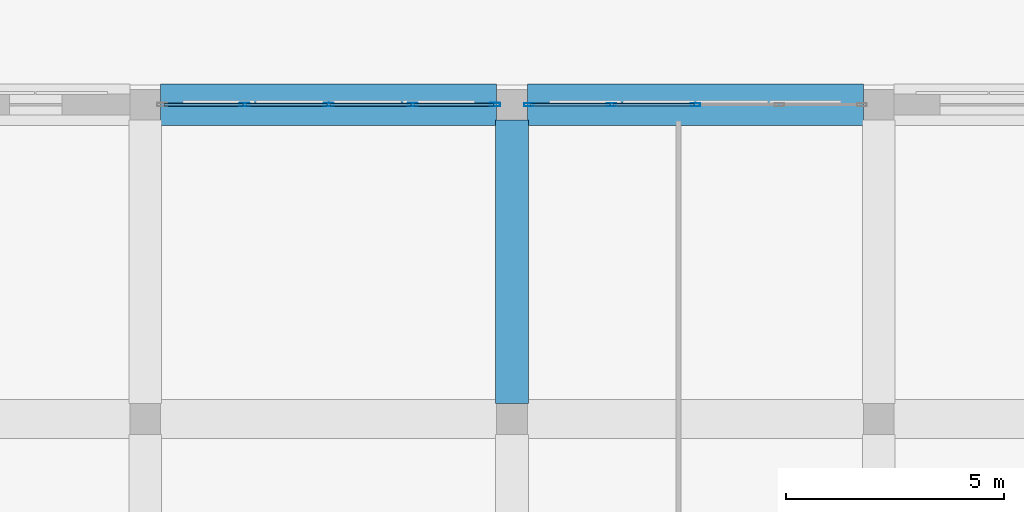
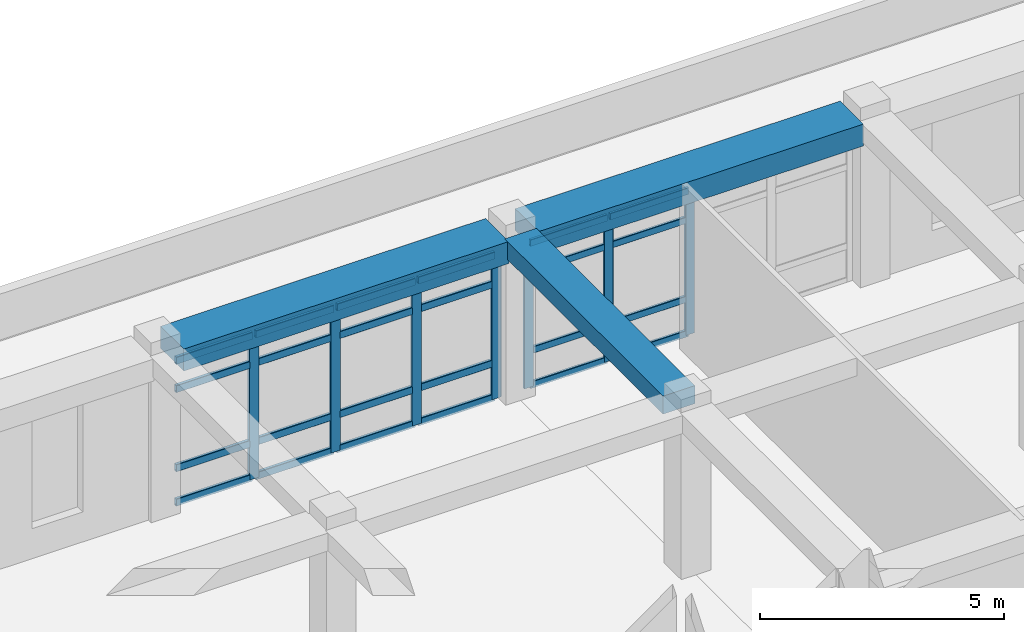
# One storey, part 32 of 100: 31 members, 3 beams, 2 elements without a shape of their own.
"""IFC4 building model written with IfcOpenShell, lengths in metres."""

from ifc_helpers import new_model, si_unit, derived_unit, direction, frame, origin, origin_2d, place, context, subcontext, project, spatial, rectangle, hollow_rectangle, extrude, material, material_profile, profile_set, type_object, element, aggregate, save


model = new_model("IFC4")

# Units and contexts
model_context = context("Model", 3, precision=1e-05, world=origin(), true_north=direction((0.0, 1.0)))
body_context = subcontext(model_context, "Body", "Model", "MODEL_VIEW")
ifc_project = project(units=[si_unit("LENGTHUNIT", "METRE"), si_unit("AREAUNIT", "SQUARE_METRE"), si_unit("VOLUMEUNIT", "CUBIC_METRE"), si_unit("PLANEANGLEUNIT", "RADIAN"), si_unit("MASSUNIT", "GRAM", prefix="KILO"), derived_unit("THERMALTRANSMITTANCEUNIT", [(si_unit("POWERUNIT", "WATT"), 1), (si_unit("LENGTHUNIT", "METRE"), -2), (si_unit("THERMODYNAMICTEMPERATUREUNIT", "KELVIN"), -1)])], contexts=[model_context])

# Site, building, storey
site_placement = place(None, origin())
site = spatial("IfcSite", under=ifc_project, at=site_placement, CompositionType="ELEMENT")
building_placement = place(site_placement, origin())
building = spatial("IfcBuilding", under=site, at=building_placement, Name="Veybourne Emporium", CompositionType="ELEMENT")
storey_placement = place(building_placement, frame((0.0, 0.0, 14.39990234375)))
storey = spatial("IfcBuildingStorey", under=building, at=storey_placement, Name="L03", CompositionType="ELEMENT", Elevation=14.39990234375)

# Curtain wall, members
ifc_material_1 = material(Name="Patinated Architectural Bronze", Category="bronze")
curtain_wall_type_1 = type_object("IfcCurtainWallType", Name="CWSystem_CWS-15", PredefinedType="NOTDEFINED", material=ifc_material_1)
curtain_wall_1_placement = place(storey_placement, origin())
curtain_wall_1 = element("IfcCurtainWall", 1, at=curtain_wall_1_placement, inside=storey, type_object=curtain_wall_type_1, Name="L03 bronze glazed curtain wall CWS-15 (033)", PredefinedType="NOTDEFINED")
ifc_material_profile_1 = material_profile(ifc_material_1, hollow_rectangle(XDim=0.077880859375, YDim=0.235107421875, WallThickness=0.0048828125, InnerFilletRadius=0.007568359375, OuterFilletRadius=0.012451171875, at=origin_2d()), Name="CWM 78x235x5")
ifc_profile_set_1 = profile_set([ifc_material_profile_1], Name="Patinated Architectural Bronze")
member_type_1 = type_object("IfcMemberType", Name="CWMullion_CW-M3", PredefinedType="MULLION", material=ifc_profile_set_1)
member_1_placement = place(storey_placement, frame((52.675048828125, 100.800048828125, 0.0), z_axis=(0.0, 0.0, 1.0), x_axis=(0.0, 1.0, 0.0)))
member_1 = element("IfcMember", 2, at=member_1_placement, type_object=member_type_1, Name="CWS-15 mullion 2", PredefinedType="MULLION", context=body_context, shape_type="SweptSolid", body=[
    extrude(hollow_rectangle(XDim=0.077880859375, YDim=0.235107421875, WallThickness=0.0048828125, InnerFilletRadius=0.007568359375, OuterFilletRadius=0.012451171875, at=origin_2d()), origin(), (0.0, 0.0, 1.0), 3.630126953125),
])
member_2_placement = place(storey_placement, frame((54.60009765625, 100.800048828125, 0.0), z_axis=(0.0, 0.0, 1.0), x_axis=(0.0, 1.0, 0.0)))
member_2 = element("IfcMember", 3, at=member_2_placement, type_object=member_type_1, Name="CWS-15 mullion 3", PredefinedType="MULLION", context=body_context, shape_type="SweptSolid", body=[
    extrude(hollow_rectangle(XDim=0.077880859375, YDim=0.235107421875, WallThickness=0.0048828125, InnerFilletRadius=0.007568359375, OuterFilletRadius=0.012451171875, at=origin_2d()), origin(), (0.0, 0.0, 1.0), 3.630126953125),
])
member_3_placement = place(storey_placement, frame((56.52490234375, 100.800048828125, 0.0), z_axis=(0.0, 0.0, 1.0), x_axis=(0.0, 1.0, 0.0)))
member_3 = element("IfcMember", 4, at=member_3_placement, type_object=member_type_1, Name="CWS-15 mullion 4", PredefinedType="MULLION", context=body_context, shape_type="SweptSolid", body=[
    extrude(hollow_rectangle(XDim=0.077880859375, YDim=0.235107421875, WallThickness=0.0048828125, InnerFilletRadius=0.007568359375, OuterFilletRadius=0.012451171875, at=origin_2d()), origin(), (0.0, 0.0, 1.0), 3.630126953125),
])
member_4_placement = place(storey_placement, frame((58.410888671875, 100.800048828125, 0.0), z_axis=(0.0, 0.0, 1.0), x_axis=(0.0, 1.0, 0.0)))
member_4 = element("IfcMember", 5, at=member_4_placement, type_object=member_type_1, Name="CWS-15 mullion 5", PredefinedType="MULLION", context=body_context, shape_type="SweptSolid", body=[
    extrude(hollow_rectangle(XDim=0.077880859375, YDim=0.235107421875, WallThickness=0.0048828125, InnerFilletRadius=0.007568359375, OuterFilletRadius=0.012451171875, at=origin_2d()), origin(), (0.0, 0.0, 1.0), 3.630126953125),
])

curtain_wall_type_2 = type_object("IfcCurtainWallType", Name="CWSystem_CWS-16", PredefinedType="NOTDEFINED", material=ifc_material_1)
curtain_wall_2_placement = place(storey_placement, origin())
curtain_wall_2 = element("IfcCurtainWall", 6, at=curtain_wall_2_placement, inside=storey, type_object=curtain_wall_type_2, Name="L03 bronze glazed curtain wall CWS-16 (036)", PredefinedType="NOTDEFINED")
ifc_material_profile_2 = material_profile(ifc_material_1, hollow_rectangle(XDim=0.070068359375, YDim=0.219970703125, WallThickness=0.0048828125, InnerFilletRadius=0.007568359375, OuterFilletRadius=0.012451171875, at=origin_2d()), Name="CWM 70x220x5")
ifc_profile_set_2 = profile_set([ifc_material_profile_2], Name="Patinated Architectural Bronze")
member_type_2 = type_object("IfcMemberType", Name="CWMullion_CW-M4", PredefinedType="MULLION", material=ifc_profile_set_2)
member_5_placement = place(storey_placement, frame((59.18505859375, 100.800048828125, 0.0), z_axis=(0.0, 0.0, 1.0), x_axis=(0.0, 1.0, 0.0)))
member_5 = element("IfcMember", 7, at=member_5_placement, type_object=member_type_2, Name="CWS-16 mullion 1", PredefinedType="MULLION", context=body_context, shape_type="SweptSolid", body=[
    extrude(hollow_rectangle(XDim=0.070068359375, YDim=0.219970703125, WallThickness=0.0048828125, InnerFilletRadius=0.007568359375, OuterFilletRadius=0.012451171875, at=origin_2d()), origin(), (0.0, 0.0, 1.0), 3.630126953125),
])
member_6_placement = place(storey_placement, frame((61.074951171875, 100.800048828125, 0.0), z_axis=(0.0, 0.0, 1.0), x_axis=(0.0, 1.0, 0.0)))
member_6 = element("IfcMember", 8, at=member_6_placement, type_object=member_type_2, Name="CWS-16 mullion 2", PredefinedType="MULLION", context=body_context, shape_type="SweptSolid", body=[
    extrude(hollow_rectangle(XDim=0.070068359375, YDim=0.219970703125, WallThickness=0.0048828125, InnerFilletRadius=0.007568359375, OuterFilletRadius=0.012451171875, at=origin_2d()), origin(), (0.0, 0.0, 1.0), 3.630126953125),
])
member_7_placement = place(storey_placement, frame((63.0, 100.800048828125, 0.0), z_axis=(0.0, 0.0, 1.0), x_axis=(0.0, 1.0, 0.0)))
member_7 = element("IfcMember", 9, at=member_7_placement, type_object=member_type_2, Name="CWS-16 mullion 3", PredefinedType="MULLION", context=body_context, shape_type="SweptSolid", body=[
    extrude(hollow_rectangle(XDim=0.070068359375, YDim=0.219970703125, WallThickness=0.0048828125, InnerFilletRadius=0.007568359375, OuterFilletRadius=0.012451171875, at=origin_2d()), origin(), (0.0, 0.0, 1.0), 3.630126953125),
])

# Member
ifc_material_profile_3 = material_profile(ifc_material_1, hollow_rectangle(XDim=0.077880859375, YDim=0.18505859375, WallThickness=0.0048828125, InnerFilletRadius=0.007568359375, OuterFilletRadius=0.012451171875, at=origin_2d()), Name="CWT 78x185x5")
ifc_profile_set_3 = profile_set([ifc_material_profile_3], Name="Patinated Architectural Bronze")
member_type_3 = type_object("IfcMemberType", Name="CWTransom_CW-T3", PredefinedType="NOTDEFINED", material=ifc_profile_set_3)
member_8_placement = place(storey_placement, frame((50.827880859375, 100.800048828125, 0.0390625), z_axis=(1.0, 0.0, 0.0), x_axis=(0.0, 1.0, 0.0)))
member_8 = element("IfcMember", 10, at=member_8_placement, type_object=member_type_3, Name="CWS-15 transom 1.1", ObjectType="TRANSOM", PredefinedType="USERDEFINED", context=body_context, shape_type="SweptSolid", body=[
    extrude(hollow_rectangle(XDim=0.077880859375, YDim=0.18505859375, WallThickness=0.0048828125, InnerFilletRadius=0.007568359375, OuterFilletRadius=0.012451171875, at=origin_2d()), origin(), (0.0, 0.0, 1.0), 1.80810546875),
])

member_9_placement = place(storey_placement, frame((50.827880859375, 100.800048828125, 0.900146484375), z_axis=(1.0, 0.0, 0.0), x_axis=(0.0, 1.0, 0.0)))
member_9 = element("IfcMember", 11, at=member_9_placement, type_object=member_type_3, Name="CWS-15 transom 1.2", ObjectType="TRANSOM", PredefinedType="USERDEFINED", context=body_context, shape_type="SweptSolid", body=[
    extrude(hollow_rectangle(XDim=0.077880859375, YDim=0.18505859375, WallThickness=0.0048828125, InnerFilletRadius=0.007568359375, OuterFilletRadius=0.012451171875, at=origin_2d()), origin(), (0.0, 0.0, 1.0), 1.80810546875),
])

member_10_placement = place(storey_placement, frame((50.827880859375, 100.800048828125, 2.880126953125), z_axis=(1.0, 0.0, 0.0), x_axis=(0.0, 1.0, 0.0)))
member_10 = element("IfcMember", 12, at=member_10_placement, type_object=member_type_3, Name="CWS-15 transom 1.3", ObjectType="TRANSOM", PredefinedType="USERDEFINED", context=body_context, shape_type="SweptSolid", body=[
    extrude(hollow_rectangle(XDim=0.077880859375, YDim=0.18505859375, WallThickness=0.0048828125, InnerFilletRadius=0.007568359375, OuterFilletRadius=0.012451171875, at=origin_2d()), origin(), (0.0, 0.0, 1.0), 1.80810546875),
])

member_11_placement = place(storey_placement, frame((50.827880859375, 100.800048828125, 3.591064453125), z_axis=(1.0, 0.0, 0.0), x_axis=(0.0, 1.0, 0.0)))
member_11 = element("IfcMember", 13, at=member_11_placement, type_object=member_type_3, Name="CWS-15 transom 1.4", ObjectType="TRANSOM", PredefinedType="USERDEFINED", context=body_context, shape_type="SweptSolid", body=[
    extrude(hollow_rectangle(XDim=0.077880859375, YDim=0.18505859375, WallThickness=0.0048828125, InnerFilletRadius=0.007568359375, OuterFilletRadius=0.012451171875, at=origin_2d()), origin(), (0.0, 0.0, 1.0), 1.80810546875),
])

member_12_placement = place(storey_placement, frame((52.714111328125, 100.800048828125, 0.0390625), z_axis=(1.0, 0.0, 0.0), x_axis=(0.0, 1.0, 0.0)))
member_12 = element("IfcMember", 14, at=member_12_placement, type_object=member_type_3, Name="CWS-15 transom 2.1", ObjectType="TRANSOM", PredefinedType="USERDEFINED", context=body_context, shape_type="SweptSolid", body=[
    extrude(hollow_rectangle(XDim=0.077880859375, YDim=0.18505859375, WallThickness=0.0048828125, InnerFilletRadius=0.007568359375, OuterFilletRadius=0.012451171875, at=origin_2d()), origin(), (0.0, 0.0, 1.0), 1.846923828125),
])

member_13_placement = place(storey_placement, frame((52.714111328125, 100.800048828125, 0.900146484375), z_axis=(1.0, 0.0, 0.0), x_axis=(0.0, 1.0, 0.0)))
member_13 = element("IfcMember", 15, at=member_13_placement, type_object=member_type_3, Name="CWS-15 transom 2.2", ObjectType="TRANSOM", PredefinedType="USERDEFINED", context=body_context, shape_type="SweptSolid", body=[
    extrude(hollow_rectangle(XDim=0.077880859375, YDim=0.18505859375, WallThickness=0.0048828125, InnerFilletRadius=0.007568359375, OuterFilletRadius=0.012451171875, at=origin_2d()), origin(), (0.0, 0.0, 1.0), 1.846923828125),
])

member_14_placement = place(storey_placement, frame((52.714111328125, 100.800048828125, 2.880126953125), z_axis=(1.0, 0.0, 0.0), x_axis=(0.0, 1.0, 0.0)))
member_14 = element("IfcMember", 16, at=member_14_placement, type_object=member_type_3, Name="CWS-15 transom 2.3", ObjectType="TRANSOM", PredefinedType="USERDEFINED", context=body_context, shape_type="SweptSolid", body=[
    extrude(hollow_rectangle(XDim=0.077880859375, YDim=0.18505859375, WallThickness=0.0048828125, InnerFilletRadius=0.007568359375, OuterFilletRadius=0.012451171875, at=origin_2d()), origin(), (0.0, 0.0, 1.0), 1.846923828125),
])

member_15_placement = place(storey_placement, frame((52.714111328125, 100.800048828125, 3.591064453125), z_axis=(1.0, 0.0, 0.0), x_axis=(0.0, 1.0, 0.0)))
member_15 = element("IfcMember", 17, at=member_15_placement, type_object=member_type_3, Name="CWS-15 transom 2.4", ObjectType="TRANSOM", PredefinedType="USERDEFINED", context=body_context, shape_type="SweptSolid", body=[
    extrude(hollow_rectangle(XDim=0.077880859375, YDim=0.18505859375, WallThickness=0.0048828125, InnerFilletRadius=0.007568359375, OuterFilletRadius=0.012451171875, at=origin_2d()), origin(), (0.0, 0.0, 1.0), 1.846923828125),
])

member_16_placement = place(storey_placement, frame((54.638916015625, 100.800048828125, 0.0390625), z_axis=(1.0, 0.0, 0.0), x_axis=(0.0, 1.0, 0.0)))
member_16 = element("IfcMember", 18, at=member_16_placement, type_object=member_type_3, Name="CWS-15 transom 3.1", ObjectType="TRANSOM", PredefinedType="USERDEFINED", context=body_context, shape_type="SweptSolid", body=[
    extrude(hollow_rectangle(XDim=0.077880859375, YDim=0.18505859375, WallThickness=0.0048828125, InnerFilletRadius=0.007568359375, OuterFilletRadius=0.012451171875, at=origin_2d()), origin(), (0.0, 0.0, 1.0), 1.84716796875),
])

member_17_placement = place(storey_placement, frame((54.638916015625, 100.800048828125, 0.900146484375), z_axis=(1.0, 0.0, 0.0), x_axis=(0.0, 1.0, 0.0)))
member_17 = element("IfcMember", 19, at=member_17_placement, type_object=member_type_3, Name="CWS-15 transom 3.2", ObjectType="TRANSOM", PredefinedType="USERDEFINED", context=body_context, shape_type="SweptSolid", body=[
    extrude(hollow_rectangle(XDim=0.077880859375, YDim=0.18505859375, WallThickness=0.0048828125, InnerFilletRadius=0.007568359375, OuterFilletRadius=0.012451171875, at=origin_2d()), origin(), (0.0, 0.0, 1.0), 1.84716796875),
])

member_18_placement = place(storey_placement, frame((54.638916015625, 100.800048828125, 2.880126953125), z_axis=(1.0, 0.0, 0.0), x_axis=(0.0, 1.0, 0.0)))
member_18 = element("IfcMember", 20, at=member_18_placement, type_object=member_type_3, Name="CWS-15 transom 3.3", ObjectType="TRANSOM", PredefinedType="USERDEFINED", context=body_context, shape_type="SweptSolid", body=[
    extrude(hollow_rectangle(XDim=0.077880859375, YDim=0.18505859375, WallThickness=0.0048828125, InnerFilletRadius=0.007568359375, OuterFilletRadius=0.012451171875, at=origin_2d()), origin(), (0.0, 0.0, 1.0), 1.84716796875),
])

member_19_placement = place(storey_placement, frame((54.638916015625, 100.800048828125, 3.591064453125), z_axis=(1.0, 0.0, 0.0), x_axis=(0.0, 1.0, 0.0)))
member_19 = element("IfcMember", 21, at=member_19_placement, type_object=member_type_3, Name="CWS-15 transom 3.4", ObjectType="TRANSOM", PredefinedType="USERDEFINED", context=body_context, shape_type="SweptSolid", body=[
    extrude(hollow_rectangle(XDim=0.077880859375, YDim=0.18505859375, WallThickness=0.0048828125, InnerFilletRadius=0.007568359375, OuterFilletRadius=0.012451171875, at=origin_2d()), origin(), (0.0, 0.0, 1.0), 1.84716796875),
])

member_20_placement = place(storey_placement, frame((56.56396484375, 100.800048828125, 0.0390625), z_axis=(1.0, 0.0, 0.0), x_axis=(0.0, 1.0, 0.0)))
member_20 = element("IfcMember", 22, at=member_20_placement, type_object=member_type_3, Name="CWS-15 transom 4.1", ObjectType="TRANSOM", PredefinedType="USERDEFINED", context=body_context, shape_type="SweptSolid", body=[
    extrude(hollow_rectangle(XDim=0.077880859375, YDim=0.18505859375, WallThickness=0.0048828125, InnerFilletRadius=0.007568359375, OuterFilletRadius=0.012451171875, at=origin_2d()), origin(), (0.0, 0.0, 1.0), 1.80810546875),
])

member_21_placement = place(storey_placement, frame((56.56396484375, 100.800048828125, 0.900146484375), z_axis=(1.0, 0.0, 0.0), x_axis=(0.0, 1.0, 0.0)))
member_21 = element("IfcMember", 23, at=member_21_placement, type_object=member_type_3, Name="CWS-15 transom 4.2", ObjectType="TRANSOM", PredefinedType="USERDEFINED", context=body_context, shape_type="SweptSolid", body=[
    extrude(hollow_rectangle(XDim=0.077880859375, YDim=0.18505859375, WallThickness=0.0048828125, InnerFilletRadius=0.007568359375, OuterFilletRadius=0.012451171875, at=origin_2d()), origin(), (0.0, 0.0, 1.0), 1.80810546875),
])

member_22_placement = place(storey_placement, frame((56.56396484375, 100.800048828125, 2.880126953125), z_axis=(1.0, 0.0, 0.0), x_axis=(0.0, 1.0, 0.0)))
member_22 = element("IfcMember", 24, at=member_22_placement, type_object=member_type_3, Name="CWS-15 transom 4.3", ObjectType="TRANSOM", PredefinedType="USERDEFINED", context=body_context, shape_type="SweptSolid", body=[
    extrude(hollow_rectangle(XDim=0.077880859375, YDim=0.18505859375, WallThickness=0.0048828125, InnerFilletRadius=0.007568359375, OuterFilletRadius=0.012451171875, at=origin_2d()), origin(), (0.0, 0.0, 1.0), 1.80810546875),
])

member_23_placement = place(storey_placement, frame((56.56396484375, 100.800048828125, 3.591064453125), z_axis=(1.0, 0.0, 0.0), x_axis=(0.0, 1.0, 0.0)))
member_23 = element("IfcMember", 25, at=member_23_placement, type_object=member_type_3, Name="CWS-15 transom 4.4", ObjectType="TRANSOM", PredefinedType="USERDEFINED", context=body_context, shape_type="SweptSolid", body=[
    extrude(hollow_rectangle(XDim=0.077880859375, YDim=0.18505859375, WallThickness=0.0048828125, InnerFilletRadius=0.007568359375, OuterFilletRadius=0.012451171875, at=origin_2d()), origin(), (0.0, 0.0, 1.0), 1.80810546875),
])

aggregate(curtain_wall_1, [member_1, member_2, member_3, member_4, member_8, member_9, member_10, member_11, member_12, member_13, member_14, member_15, member_16, member_17, member_18, member_19, member_20, member_21, member_22, member_23])

ifc_material_profile_4 = material_profile(ifc_material_1, hollow_rectangle(XDim=0.070068359375, YDim=0.169921875, WallThickness=0.0048828125, InnerFilletRadius=0.007568359375, OuterFilletRadius=0.012451171875, at=origin_2d()), Name="CWT 70x170x5")
ifc_profile_set_4 = profile_set([ifc_material_profile_4], Name="Patinated Architectural Bronze")
member_type_4 = type_object("IfcMemberType", Name="CWTransom_CW-T4", PredefinedType="NOTDEFINED", material=ifc_profile_set_4)
member_24_placement = place(storey_placement, frame((59.219970703125, 100.800048828125, 0.03515625), z_axis=(1.0, 0.0, 0.0), x_axis=(0.0, 1.0, 0.0)))
member_24 = element("IfcMember", 26, at=member_24_placement, type_object=member_type_4, Name="CWS-16 transom 1.1", ObjectType="TRANSOM", PredefinedType="USERDEFINED", context=body_context, shape_type="SweptSolid", body=[
    extrude(hollow_rectangle(XDim=0.070068359375, YDim=0.169921875, WallThickness=0.0048828125, InnerFilletRadius=0.007568359375, OuterFilletRadius=0.012451171875, at=origin_2d()), origin(), (0.0, 0.0, 1.0), 1.820068359375),
])

member_25_placement = place(storey_placement, frame((59.219970703125, 100.800048828125, 0.900146484375), z_axis=(1.0, 0.0, 0.0), x_axis=(0.0, 1.0, 0.0)))
member_25 = element("IfcMember", 27, at=member_25_placement, type_object=member_type_4, Name="CWS-16 transom 1.2", ObjectType="TRANSOM", PredefinedType="USERDEFINED", context=body_context, shape_type="SweptSolid", body=[
    extrude(hollow_rectangle(XDim=0.070068359375, YDim=0.169921875, WallThickness=0.0048828125, InnerFilletRadius=0.007568359375, OuterFilletRadius=0.012451171875, at=origin_2d()), origin(), (0.0, 0.0, 1.0), 1.820068359375),
])

member_26_placement = place(storey_placement, frame((59.219970703125, 100.800048828125, 2.880126953125), z_axis=(1.0, 0.0, 0.0), x_axis=(0.0, 1.0, 0.0)))
member_26 = element("IfcMember", 28, at=member_26_placement, type_object=member_type_4, Name="CWS-16 transom 1.3", ObjectType="TRANSOM", PredefinedType="USERDEFINED", context=body_context, shape_type="SweptSolid", body=[
    extrude(hollow_rectangle(XDim=0.070068359375, YDim=0.169921875, WallThickness=0.0048828125, InnerFilletRadius=0.007568359375, OuterFilletRadius=0.012451171875, at=origin_2d()), origin(), (0.0, 0.0, 1.0), 1.820068359375),
])

member_27_placement = place(storey_placement, frame((59.219970703125, 100.800048828125, 3.59521484375), z_axis=(1.0, 0.0, 0.0), x_axis=(0.0, 1.0, 0.0)))
member_27 = element("IfcMember", 29, at=member_27_placement, type_object=member_type_4, Name="CWS-16 transom 1.4", ObjectType="TRANSOM", PredefinedType="USERDEFINED", context=body_context, shape_type="SweptSolid", body=[
    extrude(hollow_rectangle(XDim=0.070068359375, YDim=0.169921875, WallThickness=0.0048828125, InnerFilletRadius=0.007568359375, OuterFilletRadius=0.012451171875, at=origin_2d()), origin(), (0.0, 0.0, 1.0), 1.820068359375),
])

member_28_placement = place(storey_placement, frame((61.110107421875, 100.800048828125, 0.03515625), z_axis=(1.0, 0.0, 0.0), x_axis=(0.0, 1.0, 0.0)))
member_28 = element("IfcMember", 30, at=member_28_placement, type_object=member_type_4, Name="CWS-16 transom 2.1", ObjectType="TRANSOM", PredefinedType="USERDEFINED", context=body_context, shape_type="SweptSolid", body=[
    extrude(hollow_rectangle(XDim=0.070068359375, YDim=0.169921875, WallThickness=0.0048828125, InnerFilletRadius=0.007568359375, OuterFilletRadius=0.012451171875, at=origin_2d()), origin(), (0.0, 0.0, 1.0), 1.85498046875),
])

member_29_placement = place(storey_placement, frame((61.110107421875, 100.800048828125, 0.900146484375), z_axis=(1.0, 0.0, 0.0), x_axis=(0.0, 1.0, 0.0)))
member_29 = element("IfcMember", 31, at=member_29_placement, type_object=member_type_4, Name="CWS-16 transom 2.2", ObjectType="TRANSOM", PredefinedType="USERDEFINED", context=body_context, shape_type="SweptSolid", body=[
    extrude(hollow_rectangle(XDim=0.070068359375, YDim=0.169921875, WallThickness=0.0048828125, InnerFilletRadius=0.007568359375, OuterFilletRadius=0.012451171875, at=origin_2d()), origin(), (0.0, 0.0, 1.0), 1.85498046875),
])

member_30_placement = place(storey_placement, frame((61.110107421875, 100.800048828125, 2.880126953125), z_axis=(1.0, 0.0, 0.0), x_axis=(0.0, 1.0, 0.0)))
member_30 = element("IfcMember", 32, at=member_30_placement, type_object=member_type_4, Name="CWS-16 transom 2.3", ObjectType="TRANSOM", PredefinedType="USERDEFINED", context=body_context, shape_type="SweptSolid", body=[
    extrude(hollow_rectangle(XDim=0.070068359375, YDim=0.169921875, WallThickness=0.0048828125, InnerFilletRadius=0.007568359375, OuterFilletRadius=0.012451171875, at=origin_2d()), origin(), (0.0, 0.0, 1.0), 1.85498046875),
])

member_31_placement = place(storey_placement, frame((61.110107421875, 100.800048828125, 3.59521484375), z_axis=(1.0, 0.0, 0.0), x_axis=(0.0, 1.0, 0.0)))
member_31 = element("IfcMember", 33, at=member_31_placement, type_object=member_type_4, Name="CWS-16 transom 2.4", ObjectType="TRANSOM", PredefinedType="USERDEFINED", context=body_context, shape_type="SweptSolid", body=[
    extrude(hollow_rectangle(XDim=0.070068359375, YDim=0.169921875, WallThickness=0.0048828125, InnerFilletRadius=0.007568359375, OuterFilletRadius=0.012451171875, at=origin_2d()), origin(), (0.0, 0.0, 1.0), 1.85498046875),
])

aggregate(curtain_wall_2, [member_5, member_6, member_7, member_24, member_25, member_26, member_27, member_28, member_29, member_30, member_31])

# Beams
ifc_material_2 = material(Name="Concrete C32/40", Category="concrete")
ifc_material_profile_5 = material_profile(ifc_material_2, rectangle(XDim=0.75, YDim=0.449951171875, at=origin_2d()), Name="RC 750x450")
ifc_profile_set_5 = profile_set([ifc_material_profile_5], Name="Concrete C32/40")
beam_type_1 = type_object("IfcBeamType", Name="RCBeam_BB-04", PredefinedType="BEAM", material=ifc_profile_set_5)
beam_1_placement = place(storey_placement, frame((58.800048828125, 93.949951171875, 3.955078125), z_axis=(0.0, 1.0, 0.0), x_axis=(-1.0, 0.0, 0.0)))
element("IfcBeam", 34, at=beam_1_placement, inside=storey, type_object=beam_type_1, Name="L03 Y-grid beam BB-04 (7,13)", PredefinedType="BEAM", context=body_context, shape_type="SweptSolid", body=[
    extrude(rectangle(XDim=0.75, YDim=0.449951171875, at=origin_2d()), origin(), (0.0, 0.0, 1.0), 6.5),
])
ifc_material_profile_6 = material_profile(ifc_material_2, rectangle(XDim=0.949951171875, YDim=0.550048828125, at=origin_2d()), Name="RC 950x550")
ifc_profile_set_6 = profile_set([ifc_material_profile_6], Name="Concrete C32/40")
beam_type_2 = type_object("IfcBeamType", Name="RCBeam_EB-01", PredefinedType="SPANDREL", material=ifc_profile_set_6)
beam_2_placement = place(storey_placement, frame((50.75, 100.800048828125, 3.905029296875), z_axis=(1.0, 0.0, 0.0), x_axis=(0.0, 1.0, 0.0)))
element("IfcBeam", 35, at=beam_2_placement, inside=storey, type_object=beam_type_2, Name="L03 X-grid beam EB-01 (6,14)", PredefinedType="SPANDREL", context=body_context, shape_type="SweptSolid", body=[
    extrude(rectangle(XDim=0.949951171875, YDim=0.550048828125, at=origin_2d()), origin(), (0.0, 0.0, 1.0), 7.699951171875),
])
beam_3_placement = place(storey_placement, frame((59.14990234375, 100.800048828125, 3.905029296875), z_axis=(1.0, 0.0, 0.0), x_axis=(0.0, 1.0, 0.0)))
element("IfcBeam", 36, at=beam_3_placement, inside=storey, type_object=beam_type_2, Name="L03 X-grid beam EB-01 (7,14)", PredefinedType="SPANDREL", context=body_context, shape_type="SweptSolid", body=[
    extrude(rectangle(XDim=0.949951171875, YDim=0.550048828125, at=origin_2d()), origin(), (0.0, 0.0, 1.0), 7.7001953125),
])

save(model, "model.ifc")
